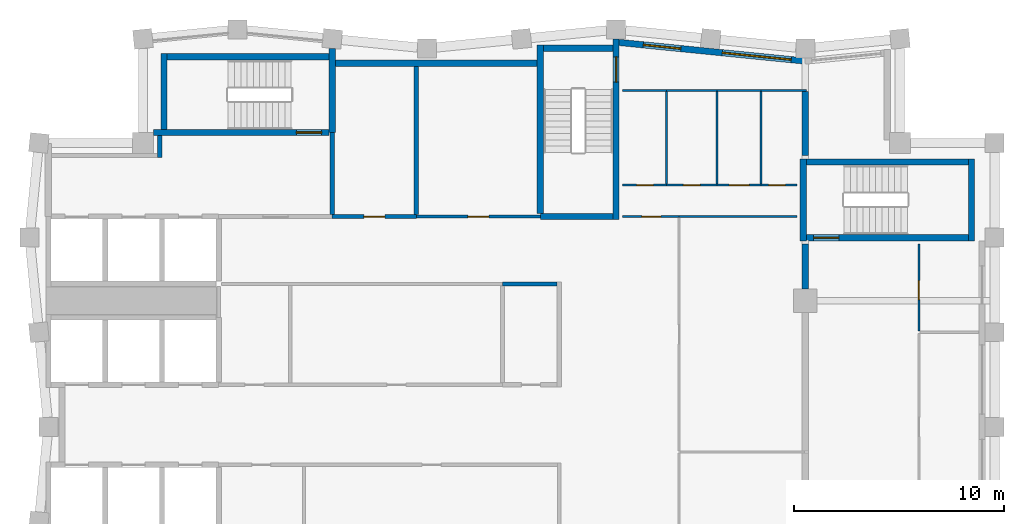
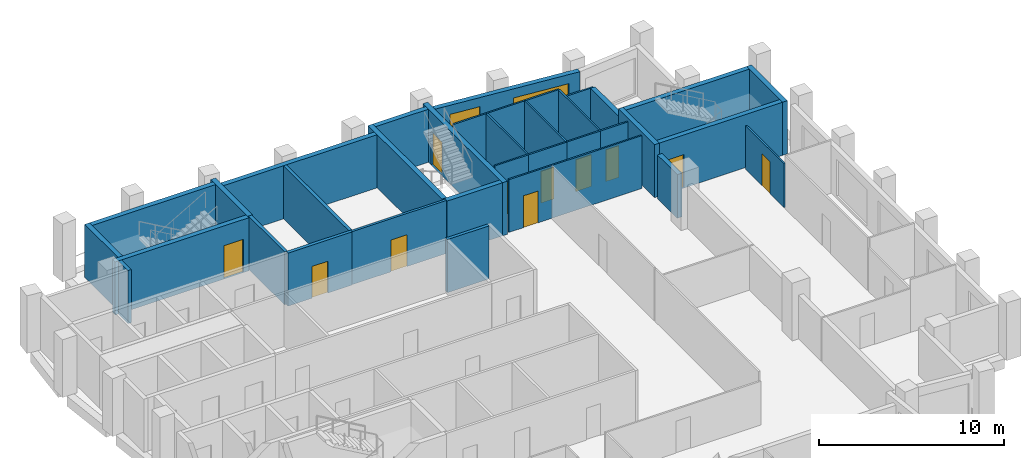
# One storey, part 5 of 7: 36 walls, 11 doors, 2 windows, 13 openings.
"""IFC4 building model written with IfcOpenShell, lengths in metres."""

from ifc_helpers import new_model, si_unit, direction, frame, frame_2d, origin, place, context, subcontext, project, spatial, rectangle, extrude, material, layer, layer_set, type_object, element, fill, save


model = new_model("IFC4")

# Units and contexts
model_context = context("Model", 3, precision=1e-05, world=origin(), true_north=direction((0.0, 1.0)))
body_context = subcontext(model_context, "Body", "Model", "MODEL_VIEW")
ifc_project = project(units=[si_unit("LENGTHUNIT", "METRE"), si_unit("AREAUNIT", "SQUARE_METRE"), si_unit("VOLUMEUNIT", "CUBIC_METRE"), si_unit("PLANEANGLEUNIT", "RADIAN"), si_unit("MASSUNIT", "GRAM", prefix="KILO")], contexts=[model_context])

# Site, building, storey
site_placement = place(None, origin())
site = spatial("IfcSite", under=ifc_project, at=site_placement, CompositionType="ELEMENT")
building_placement = place(site_placement, origin())
building = spatial("IfcBuilding", under=site, at=building_placement, Name="Brondeck Convention Tower", CompositionType="ELEMENT")
storey_placement = place(building_placement, frame((0.0, 0.0, 271.39990234375)))
storey = spatial("IfcBuildingStorey", under=building, at=storey_placement, Name="L67", CompositionType="ELEMENT", Elevation=271.39990234375)

# Walls
ifc_material_1 = material(Name="Concrete compartment wall C30/37", Category="concrete")
ifc_layer_1 = layer(ifc_material_1, 0.300048828125)
ifc_layer_set_1 = layer_set([ifc_layer_1], Name="Compartment wall 300")
wall_type_1 = type_object("IfcWallType", Name="Compartment wall 300", PredefinedType="PARTITIONING", material=ifc_layer_set_1)
wall_1_placement = place(storey_placement, frame((36.0, 51.554931640625, 0.0), z_axis=(0.0, 0.0, 1.0), x_axis=(0.0, 1.0, 0.0)))
element("IfcWall", 1, at=wall_1_placement, inside=storey, type_object=wall_type_1, Name="FLR-L67-W040", PredefinedType="PARTITIONING", context=body_context, shape_type="SweptSolid", body=[
    extrude(rectangle(XDim=2.14501953125, YDim=0.300048828125, at=frame_2d((1.072509765625, 0.0))), origin(), (0.0, 0.0, 1.0), 2.880126953125),
])
wall_2_placement = place(storey_placement, frame((36.0, 60.949951171875, 0.0), z_axis=(0.0, 0.0, 1.0), x_axis=(0.0, -1.0, 0.0)))
element("IfcWall", 2, at=wall_2_placement, inside=storey, type_object=wall_type_1, Name="FLR-L67-W052", PredefinedType="PARTITIONING", context=body_context, shape_type="SweptSolid", body=[
    extrude(rectangle(XDim=3.050048828125, YDim=0.300048828125, at=frame_2d((1.52490234375, 0.0))), origin(), (0.0, 0.0, 1.0), 2.880126953125),
])
ifc_material_2 = material(Name="Concrete C50/60", Category="concrete")
ifc_layer_2 = layer(ifc_material_2, 0.300048828125)
ifc_layer_set_2 = layer_set([ifc_layer_2], Name="Core outer wall 300 Concrete C50/60")
wall_type_2 = type_object("IfcWallType", Name="Core outer wall 300 Concrete C50/60", PredefinedType="SHEAR", material=ifc_layer_set_2)
wall_3_placement = place(storey_placement, frame((13.64990234375, 62.300048828125, 0.0), z_axis=(0.0, 0.0, 1.0), x_axis=(1.0, 0.0, 0.0)))
element("IfcWall", 3, at=wall_3_placement, inside=storey, type_object=wall_type_2, Name="L67 core wall", PredefinedType="SHEAR", context=body_context, shape_type="SweptSolid", body=[
    extrude(rectangle(XDim=9.60009765625, YDim=0.300048828125, at=frame_2d((4.800048828125, 0.0))), origin(), (0.0, 0.0, 1.0), 3.5),
])

# Wall, opening, door
ifc_material_3 = material(Name="Fire-rated gypsum board partition")
ifc_layer_3 = layer(ifc_material_3, 0.14990234375)
ifc_layer_set_3 = layer_set([ifc_layer_3], Name="Core partition 150 EI 60")
wall_type_3 = type_object("IfcWallType", Name="Core partition 150 EI 60", PredefinedType="PARTITIONING", material=ifc_layer_set_3)
wall_4_placement = place(storey_placement, frame((17.5, 55.0, 0.0), z_axis=(0.0, 0.0, 1.0), x_axis=(1.0, 0.0, 0.0)))
wall_4 = element("IfcWall", 4, at=wall_4_placement, inside=storey, type_object=wall_type_3, Name="L67 core wall", PredefinedType="PARTITIONING", context=body_context, shape_type="SweptSolid", body=[
    extrude(rectangle(XDim=5.89990234375, YDim=0.14990234375, at=frame_2d((2.949951171875, 0.0))), origin(), (0.0, 0.0, 1.0), 3.5),
])
opening_1_placement = place(wall_4_placement, frame((2.449951171875, 0.0, 0.0)))
opening_1 = element("IfcOpeningElement", 5, at=opening_1_placement, cuts=wall_4, Name="Opening C37-12", PredefinedType="OPENING", context=body_context, shape_type="SweptSolid", body=[
    extrude(rectangle(XDim=1.0, YDim=2.10009765625, at=frame_2d((0.5, 1.050048828125))), frame((0.0, 0.0849609375, 0.0), z_axis=(0.0, -1.0, 0.0), x_axis=(1.0, 0.0, 0.0)), (0.0, 0.0, 1.0), 0.169921875),
])
ifc_material_4 = material(Name="Steel fire door", Category="steel")
door_type_1 = type_object("IfcDoorType", Name="Room door 1000x2100 EI 60", OperationType="NOTDEFINED", PredefinedType="DOOR", material=ifc_material_4)
door_1_placement = place(opening_1_placement, origin())
door_1 = element("IfcDoor", 6, at=door_1_placement, inside=storey, type_object=door_type_1, Name="L67 Room door NE-2", OperationType="SINGLE_SWING_RIGHT", OverallHeight=2.10009765625, OverallWidth=1.0, PredefinedType="DOOR", context=body_context, shape_type="SweptSolid", body=[
    extrude(rectangle(XDim=1.0, YDim=2.10009765625, at=frame_2d((0.5, 1.050048828125))), frame((0.0, 0.02490234375, 0.0), z_axis=(0.0, -1.0, 0.0), x_axis=(1.0, 0.0, 0.0)), (0.0, 0.0, 1.0), 0.050048828125),
])
fill(opening_1, door_1)

# Wall, openings, windows
ifc_material_5 = material(Name="Precast concrete C50/60 bronze finish", Category="concrete")
ifc_layer_4 = layer(ifc_material_5, 0.070068359375, Name="Bronze precast facing")
ifc_material_6 = material(Name="Mineral wool")
ifc_layer_5 = layer(ifc_material_6, 0.159912109375, Name="Insulation")
ifc_material_7 = material(Name="Concrete C35/45", Category="concrete")
ifc_layer_6 = layer(ifc_material_7, 0.070068359375, Name="Backing")
ifc_layer_set_4 = layer_set([ifc_layer_4, ifc_layer_5, ifc_layer_6], Name="External infill wall, precast concrete C50/60 bronze facing")
wall_type_4 = type_object("IfcWallType", Name="External infill wall, precast concrete C50/60 bronze facing", PredefinedType="SOLIDWALL", material=ifc_layer_set_4)
wall_5_placement = place(storey_placement, frame((27.089599609375, 63.2880859375, 0.0), z_axis=(0.0, 0.0, 1.0), x_axis=(0.995035835913, -0.09951726106, 0.0)))
wall_5 = element("IfcWall", 7, at=wall_5_placement, inside=storey, type_object=wall_type_4, Name="ENV-EW-L67-P3-A-N-07", PredefinedType="SOLIDWALL", context=body_context, shape_type="SweptSolid", body=[
    extrude(rectangle(XDim=8.9248046875, YDim=0.300048828125, at=frame_2d((4.46240234375, 0.0))), origin(), (0.0, 0.0, 1.0), 3.150146484375),
])
opening_2_placement = place(wall_5_placement, frame((1.211181640625, 0.0, 0.75)))
opening_2 = element("IfcOpeningElement", 8, at=opening_2_placement, cuts=wall_5, Name="Opening W10", PredefinedType="OPENING", context=body_context, shape_type="SweptSolid", body=[
    extrude(rectangle(XDim=1.800048828125, YDim=1.800048828125, at=frame_2d((0.89990234375, 0.89990234375))), frame((0.0, 0.159912109375, 0.0), z_axis=(0.0, -1.0, 0.0), x_axis=(1.0, 0.0, 0.0)), (0.0, 0.0, 1.0), 0.320068359375),
])
opening_3_placement = place(wall_5_placement, frame((4.983642578125, 0.0, 0.14990234375)))
opening_3 = element("IfcOpeningElement", 9, at=opening_3_placement, cuts=wall_5, Name="Opening W9", PredefinedType="OPENING", context=body_context, shape_type="SweptSolid", body=[
    extrude(rectangle(XDim=3.300048828125, YDim=2.39990234375, at=frame_2d((1.64990234375, 1.199951171875))), frame((0.0, 0.159912109375, 0.0), z_axis=(0.0, -1.0, 0.0), x_axis=(1.0, 0.0, 0.0)), (0.0, 0.0, 1.0), 0.320068359375),
])
ifc_material_8 = material(Name="Bronze tinted double glazing", Category="glass")
window_type_1 = type_object("IfcWindowType", Name="Glazed flute window, bronze tinted", PartitioningType="SINGLE_PANEL", PredefinedType="WINDOW", material=ifc_material_8)
window_1_placement = place(opening_3_placement, origin())
window_1 = element("IfcWindow", 10, at=window_1_placement, inside=storey, type_object=window_type_1, Name="ENV-WN-L67-P3-A-N-07", OverallHeight=2.39990234375, OverallWidth=3.300048828125, PartitioningType="SINGLE_PANEL", PredefinedType="WINDOW", context=body_context, shape_type="SweptSolid", body=[
    extrude(rectangle(XDim=3.300048828125, YDim=2.39990234375, at=frame_2d((1.64990234375, 1.199951171875))), frame((0.0, 0.030029296875, 0.0), z_axis=(0.0, -1.0, 0.0), x_axis=(1.0, 0.0, 0.0)), (0.0, 0.0, 1.0), 0.06005859375),
])
fill(opening_3, window_1)
window_type_2 = type_object("IfcWindowType", Name="Punched window, bronze tinted", PartitioningType="SINGLE_PANEL", PredefinedType="WINDOW", material=ifc_material_8)
window_2_placement = place(opening_2_placement, origin())
window_2 = element("IfcWindow", 11, at=window_2_placement, inside=storey, type_object=window_type_2, Name="ENV-WN-L67-P3-A-N-06", OverallHeight=1.800048828125, OverallWidth=1.800048828125, PartitioningType="SINGLE_PANEL", PredefinedType="WINDOW", context=body_context, shape_type="SweptSolid", body=[
    extrude(rectangle(XDim=1.800048828125, YDim=1.800048828125, at=frame_2d((0.89990234375, 0.89990234375))), frame((0.0, 0.030029296875, 0.0), z_axis=(0.0, -1.0, 0.0), x_axis=(1.0, 0.0, 0.0)), (0.0, 0.0, 1.0), 0.06005859375),
])
fill(opening_2, window_2)

# Walls
ifc_layer_7 = layer(ifc_material_3, 0.199951171875)
ifc_layer_set_5 = layer_set([ifc_layer_7], Name="Firefighting lobby wall 200 EI 120")
wall_type_5 = type_object("IfcWallType", Name="Firefighting lobby wall 200 EI 120", PredefinedType="PARTITIONING", material=ifc_layer_set_5)
wall_6_placement = place(storey_placement, frame((5.300048828125, 57.800048828125, 0.0), z_axis=(0.0, 0.0, 1.0), x_axis=(0.0, 1.0, 0.0)))
element("IfcWall", 12, at=wall_6_placement, inside=storey, type_object=wall_type_5, Name="L67 core wall", PredefinedType="PARTITIONING", context=body_context, shape_type="SweptSolid", body=[
    extrude(rectangle(XDim=1.050048828125, YDim=0.199951171875, at=frame_2d((0.52490234375, 0.0))), origin(), (0.0, 0.0, 1.0), 3.5),
])
wall_7_placement = place(storey_placement, frame((13.5, 55.10009765625, 0.0), z_axis=(0.0, 0.0, 1.0), x_axis=(0.0, 1.0, 0.0)))
element("IfcWall", 13, at=wall_7_placement, inside=storey, type_object=wall_type_5, Name="L67 core wall", PredefinedType="PARTITIONING", context=body_context, shape_type="SweptSolid", body=[
    extrude(rectangle(XDim=3.89990234375, YDim=0.199951171875, at=frame_2d((1.949951171875, 0.0))), origin(), (0.0, 0.0, 1.0), 3.5),
])
ifc_layer_8 = layer(ifc_material_3, 0.199951171875)
ifc_layer_set_6 = layer_set([ifc_layer_8], Name="Riser wall 200 EI 120")
wall_type_6 = type_object("IfcWallType", Name="Riser wall 200 EI 120", PredefinedType="PARTITIONING", material=ifc_layer_set_6)
wall_8_placement = place(storey_placement, frame((21.60009765625, 51.800048828125, 0.0), z_axis=(0.0, 0.0, 1.0), x_axis=(1.0, 0.0, 0.0)))
element("IfcWall", 14, at=wall_8_placement, inside=storey, type_object=wall_type_6, Name="L67 core wall", PredefinedType="PARTITIONING", context=body_context, shape_type="SweptSolid", body=[
    extrude(rectangle(XDim=2.599853515625, YDim=0.199951171875, at=frame_2d((1.2998046875, 0.0))), origin(), (0.0, 0.0, 1.0), 3.5),
])

# Wall, opening, door
wall_9_placement = place(storey_placement, frame((13.5, 55.0, 0.0), z_axis=(0.0, 0.0, 1.0), x_axis=(1.0, 0.0, 0.0)))
wall_9 = element("IfcWall", 15, at=wall_9_placement, inside=storey, type_object=wall_type_6, Name="L67 core wall", PredefinedType="PARTITIONING", context=body_context, shape_type="SweptSolid", body=[
    extrude(rectangle(XDim=4.0, YDim=0.199951171875, at=frame_2d((2.0, 0.0))), origin(), (0.0, 0.0, 1.0), 3.5),
])
opening_4_placement = place(wall_9_placement, frame((1.5, 0.0, 0.0)))
opening_4 = element("IfcOpeningElement", 16, at=opening_4_placement, cuts=wall_9, Name="Opening C37-11", PredefinedType="OPENING", context=body_context, shape_type="SweptSolid", body=[
    extrude(rectangle(XDim=1.0, YDim=2.10009765625, at=frame_2d((0.5, 1.050048828125))), frame((0.0, 0.10986328125, 0.0), z_axis=(0.0, -1.0, 0.0), x_axis=(1.0, 0.0, 0.0)), (0.0, 0.0, 1.0), 0.219970703125),
])
door_type_2 = type_object("IfcDoorType", Name="Riser door 1000x2100 EI 120", OperationType="NOTDEFINED", PredefinedType="DOOR", material=ifc_material_4)
door_2_placement = place(opening_4_placement, origin())
door_2 = element("IfcDoor", 17, at=door_2_placement, inside=storey, type_object=door_type_2, Name="L67 Riser door NE-1", OperationType="SINGLE_SWING_LEFT", OverallHeight=2.10009765625, OverallWidth=1.0, PredefinedType="DOOR", context=body_context, shape_type="SweptSolid", body=[
    extrude(rectangle(XDim=1.0, YDim=2.10009765625, at=frame_2d((0.5, 1.050048828125))), frame((0.0, 0.02490234375, 0.0), z_axis=(0.0, -1.0, 0.0), x_axis=(1.0, 0.0, 0.0)), (0.0, 0.0, 1.0), 0.050048828125),
])
fill(opening_4, door_2)

# Wall
wall_10_placement = place(storey_placement, frame((17.5, 55.10009765625, 0.0), z_axis=(0.0, 0.0, 1.0), x_axis=(0.0, 1.0, 0.0)))
element("IfcWall", 18, at=wall_10_placement, inside=storey, type_object=wall_type_6, Name="L67 core wall", PredefinedType="PARTITIONING", context=body_context, shape_type="SweptSolid", body=[
    extrude(rectangle(XDim=7.0498046875, YDim=0.199951171875, at=frame_2d((3.52490234375, 0.0))), origin(), (0.0, 0.0, 1.0), 3.5),
])

# Wall, opening, door
ifc_material_9 = material(Name="Gypsum board partition on steel studs", Category="steel")
ifc_layer_9 = layer(ifc_material_9, 0.10009765625)
ifc_layer_set_7 = layer_set([ifc_layer_9], Name="Room partition 100")
wall_type_7 = type_object("IfcWallType", Name="Room partition 100", PredefinedType="PARTITIONING", material=ifc_layer_set_7)
wall_11_placement = place(storey_placement, frame((41.39990234375, 53.699951171875, 0.0), z_axis=(0.0, 0.0, 1.0), x_axis=(0.0, -1.0, 0.0)))
wall_11 = element("IfcWall", 19, at=wall_11_placement, inside=storey, type_object=wall_type_7, Name="FLR-L67-W041", PredefinedType="PARTITIONING", context=body_context, shape_type="SweptSolid", body=[
    extrude(rectangle(XDim=4.14990234375, YDim=0.10009765625, at=frame_2d((2.074951171875, 0.0))), origin(), (0.0, 0.0, 1.0), 2.880126953125),
])
opening_5_placement = place(wall_11_placement, frame((1.75, 0.0, 0.0)))
opening_5 = element("IfcOpeningElement", 20, at=opening_5_placement, cuts=wall_11, Name="Opening EX-C-003", PredefinedType="OPENING", context=body_context, shape_type="SweptSolid", body=[
    extrude(rectangle(XDim=0.89990234375, YDim=2.10009765625, at=frame_2d((0.449951171875, 1.050048828125))), frame((0.0, 0.06005859375, 0.0), z_axis=(0.0, -1.0, 0.0), x_axis=(1.0, 0.0, 0.0)), (0.0, 0.0, 1.0), 0.1201171875),
])
ifc_material_10 = material(Name="Solid timber door leaf", Category="wood")
door_type_3 = type_object("IfcDoorType", Name="Single door 900", OperationType="NOTDEFINED", PredefinedType="DOOR", material=ifc_material_10)
door_3_placement = place(opening_5_placement, origin())
door_3 = element("IfcDoor", 21, at=door_3_placement, inside=storey, type_object=door_type_3, Name="Door EX-C-003", OperationType="SINGLE_SWING_RIGHT", OverallHeight=2.10009765625, OverallWidth=0.89990234375, PredefinedType="DOOR", context=body_context, shape_type="SweptSolid", body=[
    extrude(rectangle(XDim=0.89990234375, YDim=2.10009765625, at=frame_2d((0.449951171875, 1.050048828125))), frame((0.0, 0.02490234375, 0.0), z_axis=(0.0, -1.0, 0.0), x_axis=(1.0, 0.0, 0.0)), (0.0, 0.0, 1.0), 0.050048828125),
])
fill(opening_5, door_3)

wall_12_placement = place(storey_placement, frame((27.300048828125, 55.0, 0.0), z_axis=(0.0, 0.0, 1.0), x_axis=(1.0, 0.0, 0.0)))
wall_12 = element("IfcWall", 22, at=wall_12_placement, inside=storey, type_object=wall_type_7, Name="FLR-L67-W043", PredefinedType="PARTITIONING", context=body_context, shape_type="SweptSolid", body=[
    extrude(rectangle(XDim=2.699951171875, YDim=0.10009765625, at=frame_2d((1.35009765625, 0.0))), origin(), (0.0, 0.0, 1.0), 3.47998046875),
])
opening_6_placement = place(wall_12_placement, frame((0.925048828125, 0.0, 0.0)))
opening_6 = element("IfcOpeningElement", 23, at=opening_6_placement, cuts=wall_12, Name="Opening EX-C-009", PredefinedType="OPENING", context=body_context, shape_type="SweptSolid", body=[
    extrude(rectangle(XDim=0.89990234375, YDim=2.10009765625, at=frame_2d((0.449951171875, 1.050048828125))), frame((0.0, 0.06005859375, 0.0), z_axis=(0.0, -1.0, 0.0), x_axis=(1.0, 0.0, 0.0)), (0.0, 0.0, 1.0), 0.1201171875),
])
door_4_placement = place(opening_6_placement, origin())
door_4 = element("IfcDoor", 24, at=door_4_placement, inside=storey, type_object=door_type_3, Name="Door EX-C-009", OperationType="SINGLE_SWING_LEFT", OverallHeight=2.10009765625, OverallWidth=0.89990234375, PredefinedType="DOOR", context=body_context, shape_type="SweptSolid", body=[
    extrude(rectangle(XDim=0.89990234375, YDim=2.10009765625, at=frame_2d((0.449951171875, 1.050048828125))), frame((0.0, 0.02490234375, 0.0), z_axis=(0.0, -1.0, 0.0), x_axis=(1.0, 0.0, 0.0)), (0.0, 0.0, 1.0), 0.050048828125),
])
fill(opening_6, door_4)

# Wall
wall_13_placement = place(storey_placement, frame((35.60009765625, 55.0, 0.0), z_axis=(0.0, 0.0, 1.0), x_axis=(-1.0, 0.0, 0.0)))
element("IfcWall", 25, at=wall_13_placement, inside=storey, type_object=wall_type_7, Name="FLR-L67-W044", PredefinedType="PARTITIONING", context=body_context, shape_type="SweptSolid", body=[
    extrude(rectangle(XDim=5.60009765625, YDim=0.10009765625, at=frame_2d((2.800048828125, 0.0))), origin(), (0.0, 0.0, 1.0), 3.47998046875),
])

# Wall, opening, door
wall_14_placement = place(storey_placement, frame((27.300048828125, 56.5, 0.0), z_axis=(0.0, 0.0, 1.0), x_axis=(1.0, 0.0, 0.0)))
wall_14 = element("IfcWall", 26, at=wall_14_placement, inside=storey, type_object=wall_type_7, Name="FLR-L67-W045", PredefinedType="PARTITIONING", context=body_context, shape_type="SweptSolid", body=[
    extrude(rectangle(XDim=2.099853515625, YDim=0.10009765625, at=frame_2d((1.0498046875, 0.0))), origin(), (0.0, 0.0, 1.0), 3.47998046875),
])
opening_7_placement = place(wall_14_placement, frame((0.675048828125, 0.0, 0.0)))
opening_7 = element("IfcOpeningElement", 27, at=opening_7_placement, cuts=wall_14, Name="Opening EX-C-010", PredefinedType="OPENING", context=body_context, shape_type="SweptSolid", body=[
    extrude(rectangle(XDim=0.800048828125, YDim=2.10009765625, at=frame_2d((0.39990234375, 1.050048828125))), frame((0.0, 0.06005859375, 0.0), z_axis=(0.0, -1.0, 0.0), x_axis=(1.0, 0.0, 0.0)), (0.0, 0.0, 1.0), 0.1201171875),
])
door_type_4 = type_object("IfcDoorType", Name="En-suite door 800", OperationType="NOTDEFINED", PredefinedType="DOOR", material=ifc_material_10)
door_5_placement = place(opening_7_placement, origin())
door_5 = element("IfcDoor", 28, at=door_5_placement, inside=storey, type_object=door_type_4, Name="Door EX-C-010", OperationType="SINGLE_SWING_LEFT", OverallHeight=2.10009765625, OverallWidth=0.800048828125, PredefinedType="DOOR", context=body_context, shape_type="SweptSolid", body=[
    extrude(rectangle(XDim=0.800048828125, YDim=2.10009765625, at=frame_2d((0.39990234375, 1.050048828125))), frame((0.0, 0.02490234375, 0.0), z_axis=(0.0, -1.0, 0.0), x_axis=(1.0, 0.0, 0.0)), (0.0, 0.0, 1.0), 0.050048828125),
])
fill(opening_7, door_5)

wall_15_placement = place(storey_placement, frame((29.39990234375, 56.5, 0.0), z_axis=(0.0, 0.0, 1.0), x_axis=(1.0, 0.0, 0.0)))
wall_15 = element("IfcWall", 29, at=wall_15_placement, inside=storey, type_object=wall_type_7, Name="FLR-L67-W046", PredefinedType="PARTITIONING", context=body_context, shape_type="SweptSolid", body=[
    extrude(rectangle(XDim=2.400146484375, YDim=0.10009765625, at=frame_2d((1.2001953125, 0.0))), origin(), (0.0, 0.0, 1.0), 3.47998046875),
])
opening_8_placement = place(wall_15_placement, frame((0.800048828125, 0.0, 0.0)))
opening_8 = element("IfcOpeningElement", 30, at=opening_8_placement, cuts=wall_15, Name="Opening EX-C-011", PredefinedType="OPENING", context=body_context, shape_type="SweptSolid", body=[
    extrude(rectangle(XDim=0.800048828125, YDim=2.10009765625, at=frame_2d((0.39990234375, 1.050048828125))), frame((0.0, 0.06005859375, 0.0), z_axis=(0.0, -1.0, 0.0), x_axis=(1.0, 0.0, 0.0)), (0.0, 0.0, 1.0), 0.1201171875),
])
door_6_placement = place(opening_8_placement, origin())
door_6 = element("IfcDoor", 31, at=door_6_placement, inside=storey, type_object=door_type_4, Name="Door EX-C-011", OperationType="SINGLE_SWING_RIGHT", OverallHeight=2.10009765625, OverallWidth=0.800048828125, PredefinedType="DOOR", context=body_context, shape_type="SweptSolid", body=[
    extrude(rectangle(XDim=0.800048828125, YDim=2.10009765625, at=frame_2d((0.39990234375, 1.050048828125))), frame((0.0, 0.02490234375, 0.0), z_axis=(0.0, -1.0, 0.0), x_axis=(1.0, 0.0, 0.0)), (0.0, 0.0, 1.0), 0.050048828125),
])
fill(opening_8, door_6)

wall_16_placement = place(storey_placement, frame((31.800048828125, 56.5, 0.0), z_axis=(0.0, 0.0, 1.0), x_axis=(1.0, 0.0, 0.0)))
wall_16 = element("IfcWall", 32, at=wall_16_placement, inside=storey, type_object=wall_type_7, Name="FLR-L67-W047", PredefinedType="PARTITIONING", context=body_context, shape_type="SweptSolid", body=[
    extrude(rectangle(XDim=2.099853515625, YDim=0.10009765625, at=frame_2d((1.0498046875, 0.0))), origin(), (0.0, 0.0, 1.0), 3.47998046875),
])
opening_9_placement = place(wall_16_placement, frame((0.574951171875, 0.0, 0.0)))
opening_9 = element("IfcOpeningElement", 33, at=opening_9_placement, cuts=wall_16, Name="Opening EX-C-012", PredefinedType="OPENING", context=body_context, shape_type="SweptSolid", body=[
    extrude(rectangle(XDim=0.949951171875, YDim=2.10009765625, at=frame_2d((0.47509765625, 1.050048828125))), frame((0.0, 0.06005859375, 0.0), z_axis=(0.0, -1.0, 0.0), x_axis=(1.0, 0.0, 0.0)), (0.0, 0.0, 1.0), 0.1201171875),
])
door_type_5 = type_object("IfcDoorType", Name="Accessible door 950", OperationType="NOTDEFINED", PredefinedType="DOOR", material=ifc_material_10)
door_7_placement = place(opening_9_placement, origin())
door_7 = element("IfcDoor", 34, at=door_7_placement, inside=storey, type_object=door_type_5, Name="Door EX-C-012", OperationType="SINGLE_SWING_LEFT", OverallHeight=2.10009765625, OverallWidth=0.949951171875, PredefinedType="DOOR", context=body_context, shape_type="SweptSolid", body=[
    extrude(rectangle(XDim=0.949951171875, YDim=2.10009765625, at=frame_2d((0.47509765625, 1.050048828125))), frame((0.0, 0.02490234375, 0.0), z_axis=(0.0, -1.0, 0.0), x_axis=(1.0, 0.0, 0.0)), (0.0, 0.0, 1.0), 0.050048828125),
])
fill(opening_9, door_7)

wall_17_placement = place(storey_placement, frame((33.89990234375, 56.5, 0.0), z_axis=(0.0, 0.0, 1.0), x_axis=(1.0, 0.0, 0.0)))
wall_17 = element("IfcWall", 35, at=wall_17_placement, inside=storey, type_object=wall_type_7, Name="FLR-L67-W048", PredefinedType="PARTITIONING", context=body_context, shape_type="SweptSolid", body=[
    extrude(rectangle(XDim=1.7001953125, YDim=0.10009765625, at=frame_2d((0.85009765625, 0.0))), origin(), (0.0, 0.0, 1.0), 3.47998046875),
])
opening_10_placement = place(wall_17_placement, frame((0.35009765625, 0.0, 0.0)))
opening_10 = element("IfcOpeningElement", 36, at=opening_10_placement, cuts=wall_17, Name="Opening EX-C-013", PredefinedType="OPENING", context=body_context, shape_type="SweptSolid", body=[
    extrude(rectangle(XDim=0.800048828125, YDim=2.10009765625, at=frame_2d((0.39990234375, 1.050048828125))), frame((0.0, 0.06005859375, 0.0), z_axis=(0.0, -1.0, 0.0), x_axis=(1.0, 0.0, 0.0)), (0.0, 0.0, 1.0), 0.1201171875),
])
ifc_material_11 = material(Name="Steel service door leaf", Category="steel")
door_type_6 = type_object("IfcDoorType", Name="Service door 800", OperationType="NOTDEFINED", PredefinedType="DOOR", material=ifc_material_11)
door_8_placement = place(opening_10_placement, origin())
door_8 = element("IfcDoor", 37, at=door_8_placement, inside=storey, type_object=door_type_6, Name="Door EX-C-013", OperationType="SINGLE_SWING_LEFT", OverallHeight=2.10009765625, OverallWidth=0.800048828125, PredefinedType="DOOR", context=body_context, shape_type="SweptSolid", body=[
    extrude(rectangle(XDim=0.800048828125, YDim=2.10009765625, at=frame_2d((0.39990234375, 1.050048828125))), frame((0.0, 0.02490234375, 0.0), z_axis=(0.0, -1.0, 0.0), x_axis=(1.0, 0.0, 0.0)), (0.0, 0.0, 1.0), 0.050048828125),
])
fill(opening_10, door_8)

# Walls
for number, where, z_axis, x_axis, name in (
    (38, (29.39990234375, 60.949951171875, 0.0), (0.0, 0.0, 1.0), (0.0, -1.0, 0.0), "FLR-L67-W049"),
    (39, (31.800048828125, 60.949951171875, 0.0), (0.0, 0.0, 1.0), (0.0, -1.0, 0.0), "FLR-L67-W050"),
    (40, (33.89990234375, 60.949951171875, 0.0), (0.0, 0.0, 1.0), (0.0, -1.0, 0.0), "FLR-L67-W051"),
):
    element("IfcWall", number, at=place(storey_placement, frame(where, z_axis=z_axis, x_axis=x_axis)), inside=storey, type_object=wall_type_7, Name=name, PredefinedType="PARTITIONING", context=body_context, shape_type="SweptSolid", body=[
        extrude(rectangle(XDim=4.39990234375, YDim=0.10009765625, at=frame_2d((2.199951171875, 0.0))), origin(), (0.0, 0.0, 1.0), 3.47998046875),
    ])
wall_18_placement = place(storey_placement, frame((27.300048828125, 61.0, 0.0), z_axis=(0.0, 0.0, 1.0), x_axis=(1.0, 0.0, 0.0)))
element("IfcWall", 41, at=wall_18_placement, inside=storey, type_object=wall_type_7, Name="FLR-L67-W053", PredefinedType="PARTITIONING", context=body_context, shape_type="SweptSolid", body=[
    extrude(rectangle(XDim=2.099853515625, YDim=0.10009765625, at=frame_2d((1.0498046875, 0.0))), origin(), (0.0, 0.0, 1.0), 3.47998046875),
])
wall_19_placement = place(storey_placement, frame((29.39990234375, 61.0, 0.0), z_axis=(0.0, 0.0, 1.0), x_axis=(1.0, 0.0, 0.0)))
element("IfcWall", 42, at=wall_19_placement, inside=storey, type_object=wall_type_7, Name="FLR-L67-W054", PredefinedType="PARTITIONING", context=body_context, shape_type="SweptSolid", body=[
    extrude(rectangle(XDim=2.400146484375, YDim=0.10009765625, at=frame_2d((1.2001953125, 0.0))), origin(), (0.0, 0.0, 1.0), 3.47998046875),
])
wall_20_placement = place(storey_placement, frame((31.800048828125, 61.0, 0.0), z_axis=(0.0, 0.0, 1.0), x_axis=(1.0, 0.0, 0.0)))
element("IfcWall", 43, at=wall_20_placement, inside=storey, type_object=wall_type_7, Name="FLR-L67-W055", PredefinedType="PARTITIONING", context=body_context, shape_type="SweptSolid", body=[
    extrude(rectangle(XDim=2.099853515625, YDim=0.10009765625, at=frame_2d((1.0498046875, 0.0))), origin(), (0.0, 0.0, 1.0), 3.47998046875),
])
wall_21_placement = place(storey_placement, frame((33.89990234375, 61.0, 0.0), z_axis=(0.0, 0.0, 1.0), x_axis=(1.0, 0.0, 0.0)))
element("IfcWall", 44, at=wall_21_placement, inside=storey, type_object=wall_type_7, Name="FLR-L67-W056", PredefinedType="PARTITIONING", context=body_context, shape_type="SweptSolid", body=[
    extrude(rectangle(XDim=2.150146484375, YDim=0.10009765625, at=frame_2d((1.0751953125, 0.0))), origin(), (0.0, 0.0, 1.0), 2.880126953125),
])

# Wall, opening, door
ifc_layer_10 = layer(ifc_material_2, 0.300048828125)
ifc_layer_set_8 = layer_set([ifc_layer_10], Name="Stair enclosure wall 300 Concrete C50/60")
wall_type_8 = type_object("IfcWallType", Name="Stair enclosure wall 300 Concrete C50/60", PredefinedType="SHEAR", material=ifc_layer_set_8)
wall_22_placement = place(storey_placement, frame((36.050048828125, 54.0, 0.0), z_axis=(0.0, 0.0, 1.0), x_axis=(1.0, 0.0, 0.0)))
wall_22 = element("IfcWall", 45, at=wall_22_placement, inside=storey, type_object=wall_type_8, Name="L67 core wall", PredefinedType="SHEAR", context=body_context, shape_type="SweptSolid", body=[
    extrude(rectangle(XDim=7.699951171875, YDim=0.300048828125, at=frame_2d((3.85009765625, 0.0))), origin(), (0.0, 0.0, 1.0), 3.5),
])
opening_11_placement = place(wall_22_placement, frame((0.35009765625, 0.0, 0.0)))
opening_11 = element("IfcOpeningElement", 46, at=opening_11_placement, cuts=wall_22, Name="Opening C37-16", PredefinedType="OPENING", context=body_context, shape_type="SweptSolid", body=[
    extrude(rectangle(XDim=1.199951171875, YDim=2.199951171875, at=frame_2d((0.60009765625, 1.10009765625))), frame((0.0, 0.159912109375, 0.0), z_axis=(0.0, -1.0, 0.0), x_axis=(1.0, 0.0, 0.0)), (0.0, 0.0, 1.0), 0.320068359375),
])
door_type_7 = type_object("IfcDoorType", Name="Stair door 1200x2200 EI 90", OperationType="NOTDEFINED", PredefinedType="DOOR", material=ifc_material_4)
door_9_placement = place(opening_11_placement, origin())
door_9 = element("IfcDoor", 47, at=door_9_placement, inside=storey, type_object=door_type_7, Name="L67 Stair door ST-AE", OperationType="SINGLE_SWING_LEFT", OverallHeight=2.199951171875, OverallWidth=1.199951171875, PredefinedType="DOOR", context=body_context, shape_type="SweptSolid", body=[
    extrude(rectangle(XDim=1.199951171875, YDim=2.199951171875, at=frame_2d((0.60009765625, 1.10009765625))), frame((0.0, 0.02490234375, 0.0), z_axis=(0.0, -1.0, 0.0), x_axis=(1.0, 0.0, 0.0)), (0.0, 0.0, 1.0), 0.050048828125),
])
fill(opening_11, door_9)

# Walls
wall_23_placement = place(storey_placement, frame((23.39990234375, 55.0, 0.0), z_axis=(0.0, 0.0, 1.0), x_axis=(1.0, 0.0, 0.0)))
element("IfcWall", 48, at=wall_23_placement, inside=storey, type_object=wall_type_8, Name="L67 core wall", PredefinedType="SHEAR", context=body_context, shape_type="SweptSolid", body=[
    extrude(rectangle(XDim=3.4501953125, YDim=0.300048828125, at=frame_2d((1.72509765625, 0.0))), origin(), (0.0, 0.0, 1.0), 3.5),
])
wall_24_placement = place(storey_placement, frame((36.050048828125, 57.60009765625, 0.0), z_axis=(0.0, 0.0, 1.0), x_axis=(1.0, 0.0, 0.0)))
element("IfcWall", 49, at=wall_24_placement, inside=storey, type_object=wall_type_8, Name="L67 core wall", PredefinedType="SHEAR", context=body_context, shape_type="SweptSolid", body=[
    extrude(rectangle(XDim=7.699951171875, YDim=0.300048828125, at=frame_2d((3.85009765625, 0.0))), origin(), (0.0, 0.0, 1.0), 3.5),
])

# Wall, opening, door
wall_25_placement = place(storey_placement, frame((5.0, 59.0, 0.0), z_axis=(0.0, 0.0, 1.0), x_axis=(1.0, 0.0, 0.0)))
wall_25 = element("IfcWall", 50, at=wall_25_placement, inside=storey, type_object=wall_type_8, Name="L67 core wall", PredefinedType="SHEAR", context=body_context, shape_type="SweptSolid", body=[
    extrude(rectangle(XDim=8.35009765625, YDim=0.300048828125, at=frame_2d((4.175048828125, 0.0))), origin(), (0.0, 0.0, 1.0), 3.5),
])
opening_12_placement = place(wall_25_placement, frame((6.800048828125, 0.0, 0.0)))
opening_12 = element("IfcOpeningElement", 51, at=opening_12_placement, cuts=wall_25, Name="Opening C37-15", PredefinedType="OPENING", context=body_context, shape_type="SweptSolid", body=[
    extrude(rectangle(XDim=1.199951171875, YDim=2.199951171875, at=frame_2d((0.60009765625, 1.10009765625))), frame((0.0, 0.159912109375, 0.0), z_axis=(0.0, -1.0, 0.0), x_axis=(1.0, 0.0, 0.0)), (0.0, 0.0, 1.0), 0.320068359375),
])
door_type_8 = type_object("IfcDoorType", Name="Stair door 1200x2200 EI 120", OperationType="NOTDEFINED", PredefinedType="DOOR", material=ifc_material_4)
door_10_placement = place(opening_12_placement, origin())
door_10 = element("IfcDoor", 52, at=door_10_placement, inside=storey, type_object=door_type_8, Name="L67 Stair door ST-3", OperationType="SINGLE_SWING_RIGHT", OverallHeight=2.199951171875, OverallWidth=1.199951171875, PredefinedType="DOOR", context=body_context, shape_type="SweptSolid", body=[
    extrude(rectangle(XDim=1.199951171875, YDim=2.199951171875, at=frame_2d((0.60009765625, 1.10009765625))), frame((0.0, 0.02490234375, 0.0), z_axis=(0.0, -1.0, 0.0), x_axis=(1.0, 0.0, 0.0)), (0.0, 0.0, 1.0), 0.050048828125),
])
fill(opening_12, door_10)

# Walls
wall_26_placement = place(storey_placement, frame((5.64990234375, 62.60009765625, 0.0), z_axis=(0.0, 0.0, 1.0), x_axis=(1.0, 0.0, 0.0)))
element("IfcWall", 53, at=wall_26_placement, inside=storey, type_object=wall_type_8, Name="L67 core wall", PredefinedType="SHEAR", context=body_context, shape_type="SweptSolid", body=[
    extrude(rectangle(XDim=7.7001953125, YDim=0.300048828125, at=frame_2d((3.85009765625, 0.0))), origin(), (0.0, 0.0, 1.0), 3.5),
])
wall_27_placement = place(storey_placement, frame((23.550048828125, 63.0, 0.0), z_axis=(0.0, 0.0, 1.0), x_axis=(1.0, 0.0, 0.0)))
element("IfcWall", 54, at=wall_27_placement, inside=storey, type_object=wall_type_8, Name="L67 core wall", PredefinedType="SHEAR", context=body_context, shape_type="SweptSolid", body=[
    extrude(rectangle(XDim=3.300048828125, YDim=0.300048828125, at=frame_2d((1.64990234375, 0.0))), origin(), (0.0, 0.0, 1.0), 3.5),
])
wall_28_placement = place(storey_placement, frame((5.5, 59.14990234375, 0.0), z_axis=(0.0, 0.0, 1.0), x_axis=(0.0, 1.0, 0.0)))
element("IfcWall", 55, at=wall_28_placement, inside=storey, type_object=wall_type_8, Name="L67 core wall", PredefinedType="SHEAR", context=body_context, shape_type="SweptSolid", body=[
    extrude(rectangle(XDim=3.60009765625, YDim=0.300048828125, at=frame_2d((1.800048828125, 0.0))), origin(), (0.0, 0.0, 1.0), 3.5),
])
wall_29_placement = place(storey_placement, frame((13.5, 59.0, 0.0), z_axis=(0.0, 0.0, 1.0), x_axis=(0.0, 1.0, 0.0)))
element("IfcWall", 56, at=wall_29_placement, inside=storey, type_object=wall_type_8, Name="L67 core wall", PredefinedType="SHEAR", context=body_context, shape_type="SweptSolid", body=[
    extrude(rectangle(XDim=3.997802734375, YDim=0.300048828125, at=frame_2d((1.9990234375, 0.0))), origin(), (0.0, 0.0, 1.0), 3.5),
])
wall_30_placement = place(storey_placement, frame((23.39990234375, 55.14990234375, 0.0), z_axis=(0.0, 0.0, 1.0), x_axis=(0.0, 1.0, 0.0)))
element("IfcWall", 57, at=wall_30_placement, inside=storey, type_object=wall_type_8, Name="L67 core wall", PredefinedType="SHEAR", context=body_context, shape_type="SweptSolid", body=[
    extrude(rectangle(XDim=8.0, YDim=0.300048828125, at=frame_2d((4.0, 0.0))), origin(), (0.0, 0.0, 1.0), 3.5),
])

# Wall, opening, door
wall_31_placement = place(storey_placement, frame((27.0, 54.85009765625, 0.0), z_axis=(0.0, 0.0, 1.0), x_axis=(0.0, 1.0, 0.0)))
wall_31 = element("IfcWall", 58, at=wall_31_placement, inside=storey, type_object=wall_type_8, Name="L67 core wall", PredefinedType="SHEAR", context=body_context, shape_type="SweptSolid", body=[
    extrude(rectangle(XDim=8.599853515625, YDim=0.300048828125, at=frame_2d((4.2998046875, 0.0))), origin(), (0.0, 0.0, 1.0), 3.5),
])
opening_13_placement = place(wall_31_placement, frame((6.550048828125, 0.0, 0.0)))
opening_13 = element("IfcOpeningElement", 59, at=opening_13_placement, cuts=wall_31, Name="Opening C37-14", PredefinedType="OPENING", context=body_context, shape_type="SweptSolid", body=[
    extrude(rectangle(XDim=1.199951171875, YDim=2.199951171875, at=frame_2d((0.60009765625, 1.10009765625))), frame((0.0, 0.159912109375, 0.0), z_axis=(0.0, -1.0, 0.0), x_axis=(1.0, 0.0, 0.0)), (0.0, 0.0, 1.0), 0.320068359375),
])
door_11_placement = place(opening_13_placement, origin())
door_11 = element("IfcDoor", 60, at=door_11_placement, inside=storey, type_object=door_type_7, Name="L67 Stair door ST-2", OperationType="SINGLE_SWING_LEFT", OverallHeight=2.199951171875, OverallWidth=1.199951171875, PredefinedType="DOOR", context=body_context, shape_type="SweptSolid", body=[
    extrude(rectangle(XDim=1.199951171875, YDim=2.199951171875, at=frame_2d((0.60009765625, 1.10009765625))), frame((0.0, 0.02490234375, 0.0), z_axis=(0.0, -1.0, 0.0), x_axis=(1.0, 0.0, 0.0)), (0.0, 0.0, 1.0), 0.050048828125),
])
fill(opening_13, door_11)

# Walls
for number, where, z_axis, x_axis, name in (
    (61, (35.89990234375, 53.85009765625, 0.0), (0.0, 0.0, 1.0), (0.0, 1.0, 0.0), "L67 core wall"),
    (62, (43.89990234375, 53.85009765625, 0.0), (0.0, 0.0, 1.0), (0.0, 1.0, 0.0), "L67 core wall"),
):
    element("IfcWall", number, at=place(storey_placement, frame(where, z_axis=z_axis, x_axis=x_axis)), inside=storey, type_object=wall_type_8, Name=name, PredefinedType="SHEAR", context=body_context, shape_type="SweptSolid", body=[
        extrude(rectangle(XDim=3.89990234375, YDim=0.300048828125, at=frame_2d((1.949951171875, 0.0))), origin(), (0.0, 0.0, 1.0), 3.5),
    ])

save(model, "model.ifc")
